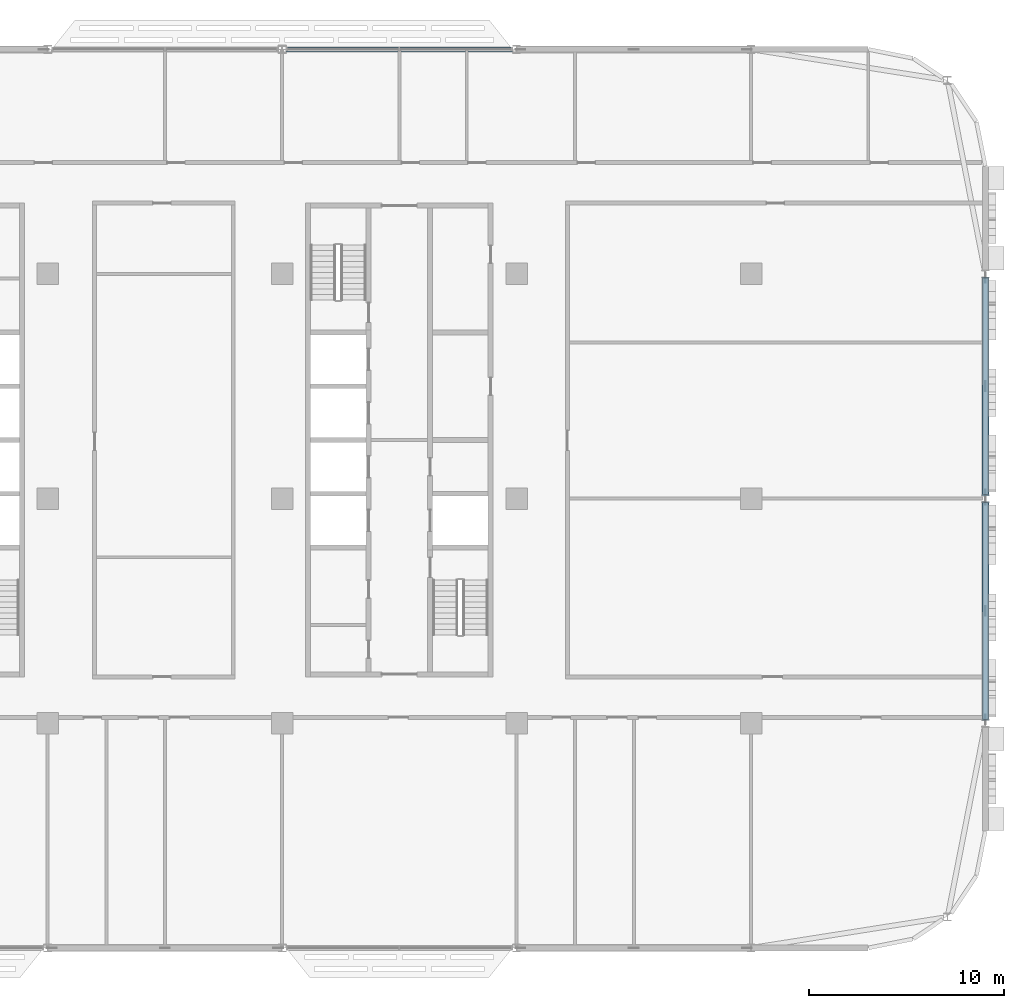
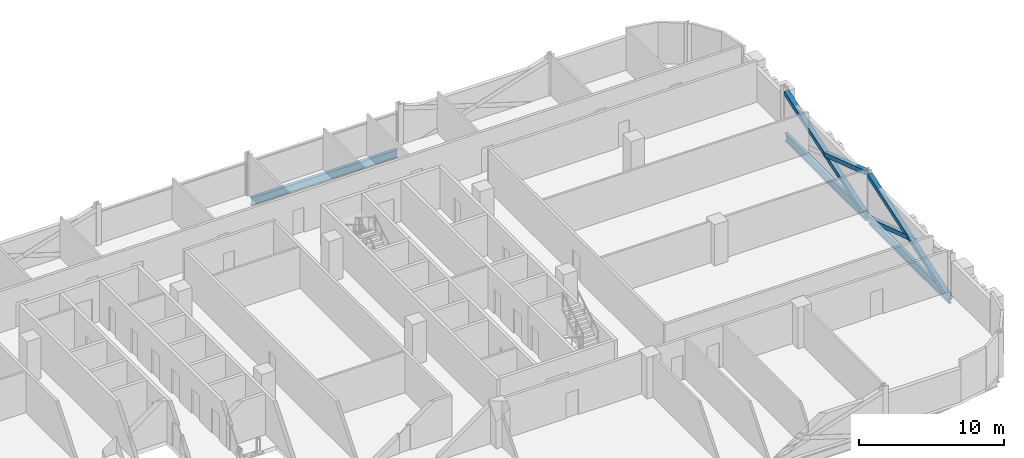
# One storey, part 10 of 30: 4 members, 3 beams.
"""IFC4 building model written with IfcOpenShell, lengths in metres."""

from ifc_helpers import new_model, si_unit, direction, frame, origin, origin_2d, place, context, subcontext, project, spatial, hollow_rectangle, i_section, extrude, material, material_profile, profile_set, type_object, element, save


model = new_model("IFC4")

# Units and contexts
model_context = context("Model", 3, precision=1e-05, world=origin(), true_north=direction((0.0, 1.0)))
body_context = subcontext(model_context, "Body", "Model", "MODEL_VIEW")
ifc_project = project(units=[si_unit("LENGTHUNIT", "METRE"), si_unit("AREAUNIT", "SQUARE_METRE"), si_unit("VOLUMEUNIT", "CUBIC_METRE"), si_unit("PLANEANGLEUNIT", "RADIAN"), si_unit("MASSUNIT", "GRAM", prefix="KILO")], contexts=[model_context])

# Site, building, storey
site_placement = place(None, origin())
site = spatial("IfcSite", under=ifc_project, at=site_placement, CompositionType="ELEMENT")
building_placement = place(site_placement, origin())
building = spatial("IfcBuilding", under=site, at=building_placement, Name="Mahtab Terrace Research Tower", CompositionType="ELEMENT")
storey_placement = place(building_placement, frame((0.0, 0.0, 212.89990234375)))
storey = spatial("IfcBuildingStorey", under=building, at=storey_placement, Name="L51", CompositionType="ELEMENT", Elevation=212.89990234375)

# Members
ifc_material_1 = material(Name="Steel ASTM A500 Gr C", Category="steel")
ifc_material_profile_1 = material_profile(ifc_material_1, hollow_rectangle(XDim=0.355712890625, YDim=0.355712890625, WallThickness=0.015869140625, at=origin_2d()), Name="HSS14X14X5/8")
ifc_profile_set_1 = profile_set([ifc_material_profile_1], Name="Steel ASTM A500 Gr C")
member_type = type_object("IfcMemberType", Name="HSS 14x14x5/8 brace XB141458", PredefinedType="BRACE", material=ifc_profile_set_1)
member_1_placement = place(storey_placement, frame((54.0, -11.300537109375, -0.613037109375), z_axis=(0.0, 0.949504910136, 0.313752172307), x_axis=(-1.0, 0.0, 0.0)))
element("IfcMember", 1, at=member_1_placement, inside=storey, type_object=member_type, Name="Exoskeleton brace L51 22 a", PredefinedType="BRACE", context=body_context, shape_type="SweptSolid", body=[
    extrude(hollow_rectangle(XDim=0.355712890625, YDim=0.355712890625, WallThickness=0.015869140625, at=origin_2d()), origin(), (0.0, 0.0, 1.0), 11.69140625),
])
member_2_placement = place(storey_placement, frame((54.0, -0.199462890625, -0.613037109375), z_axis=(0.0, -0.949511130933, 0.313733345748), x_axis=(1.0, 0.0, 0.0)))
element("IfcMember", 2, at=member_2_placement, inside=storey, type_object=member_type, Name="Exoskeleton brace L51 22 b1", PredefinedType="BRACE", context=body_context, shape_type="SweptSolid", body=[
    extrude(hollow_rectangle(XDim=0.355712890625, YDim=0.355712890625, WallThickness=0.015869140625, at=origin_2d()), origin(), (0.0, 0.0, 1.0), 5.845703125),
])
member_3_placement = place(storey_placement, frame((54.0, 0.199462890625, -0.613037109375), z_axis=(0.0, 0.949504910136, 0.313752172307), x_axis=(-1.0, 0.0, 0.0)))
element("IfcMember", 3, at=member_3_placement, inside=storey, type_object=member_type, Name="Exoskeleton brace L51 23 a", PredefinedType="BRACE", context=body_context, shape_type="SweptSolid", body=[
    extrude(hollow_rectangle(XDim=0.355712890625, YDim=0.355712890625, WallThickness=0.015869140625, at=origin_2d()), origin(), (0.0, 0.0, 1.0), 11.69140625),
])
member_4_placement = place(storey_placement, frame((54.0, 5.75, 1.220947265625), z_axis=(0.0, -0.949498689047, 0.313770998496), x_axis=(1.0, 0.0, 0.0)))
element("IfcMember", 4, at=member_4_placement, inside=storey, type_object=member_type, Name="Exoskeleton brace L51 23 b2", PredefinedType="BRACE", context=body_context, shape_type="SweptSolid", body=[
    extrude(hollow_rectangle(XDim=0.355712890625, YDim=0.355712890625, WallThickness=0.015869140625, at=origin_2d()), origin(), (0.0, 0.0, 1.0), 5.845703125),
])

# Beams
ifc_material_2 = material(Name="Steel ASTM A992 Gr 50", Category="steel")
ifc_material_profile_2 = material_profile(ifc_material_2, i_section(OverallWidth=0.25390625, OverallDepth=0.67822265625, WebThickness=0.01171875, FlangeThickness=0.016357421875, at=origin_2d()), Name="W27X84")
ifc_profile_set_2 = profile_set([ifc_material_profile_2], Name="Steel ASTM A992 Gr 50")
beam_type = type_object("IfcBeamType", Name="W27x84 beam BS2784", PredefinedType="BEAM", material=ifc_profile_set_2)
beam_placement = place(storey_placement, frame((29.79931640625, 23.0, -0.678955078125), z_axis=(-1.0, 0.0, 0.0), x_axis=(0.0, -1.0, 0.0)))
element("IfcBeam", 5, at=beam_placement, inside=storey, type_object=beam_type, Name="Spandrel beam L51 03", PredefinedType="BEAM", context=body_context, shape_type="SweptSolid", body=[
    extrude(i_section(OverallWidth=0.25390625, OverallDepth=0.67822265625, WebThickness=0.01171875, FlangeThickness=0.016357421875, at=origin_2d()), origin(), (0.0, 0.0, 1.0), 11.5986328125),
])
for number, where, z_axis, x_axis, name in (
    (6, (54.0, -11.300537109375, -0.678955078125), (0.0, 1.0, 0.0), (-1.0, 0.0, 0.0), "Spandrel beam L51 22"),
    (7, (54.0, 0.199462890625, -0.678955078125), (0.0, 1.0, 0.0), (-1.0, 0.0, 0.0), "Spandrel beam L51 23"),
):
    element("IfcBeam", number, at=place(storey_placement, frame(where, z_axis=z_axis, x_axis=x_axis)), inside=storey, type_object=beam_type, Name=name, PredefinedType="BEAM", context=body_context, shape_type="SweptSolid", body=[
        extrude(i_section(OverallWidth=0.25390625, OverallDepth=0.67822265625, WebThickness=0.01171875, FlangeThickness=0.016357421875, at=origin_2d()), origin(), (0.0, 0.0, 1.0), 11.10107421875),
    ])

save(model, "model.ifc")
